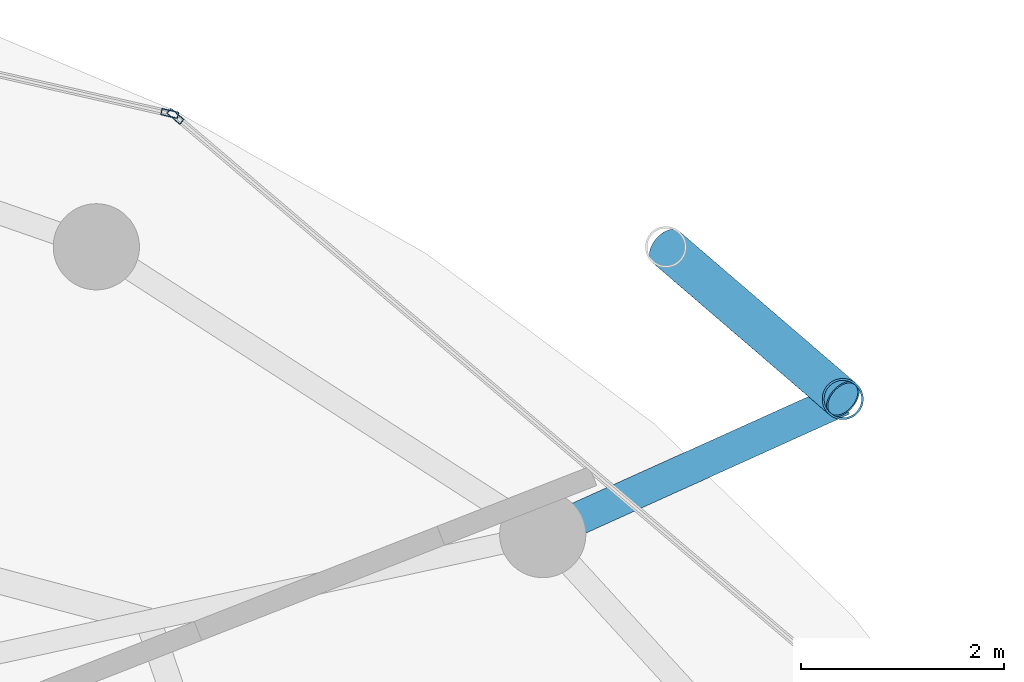
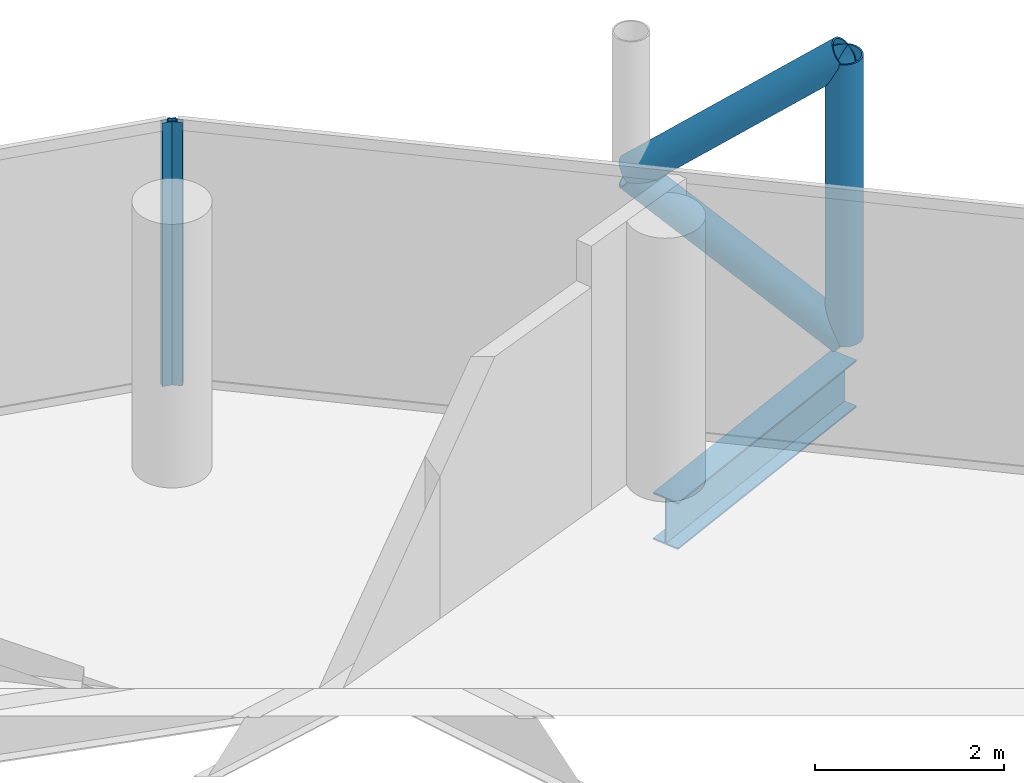
# One storey, part 21 of 27: 5 members, 1 beam, 2 elements without a shape of their own.
"""IFC4 building model written with IfcOpenShell, lengths in metres."""

import ifcopenshell
import ifcopenshell.guid

model = None  # the IFC model being written
_history = None  # IfcOwnerHistory: only IFC2X3 demands one
_inside = {}  # id of a spatial element -> (the spatial element, [elements in it])
_under = {}  # id of a project, library or spatial element -> (it, [spatial elements below it])
_declared = {}  # id of a project -> (the project, [libraries it declares])
_typed = {}  # id of a type object -> (the type object, [elements of that type])
_made_of = {}  # id of a material, layer set ... -> (it, [elements and type objects made of it])


def new_model(schema):
    """Start an empty IFC model of exactly this schema.

    Asked for "IFC4X3", IfcOpenShell would pick the latest addendum, in which some entities
    have other attributes; the version numbers below select the first issue.
    IFC2X3 requires an IfcOwnerHistory on every rooted entity: one is made here for all.
    """
    global model, _history
    if schema == "IFC4X3":
        model = ifcopenshell.file(schema_version=(4, 3, 0, 0))
    else:
        model = ifcopenshell.file(schema=schema)
    _inside.clear()
    _under.clear()
    _declared.clear()
    _typed.clear()
    _made_of.clear()
    _history = None
    if model.schema == "IFC2X3":
        org = make("IfcOrganization", Name="unknown")
        user = make(
            "IfcPersonAndOrganization",
            ThePerson=make("IfcPerson", FamilyName="unknown"),
            TheOrganization=org,
        )
        app = make(
            "IfcApplication",
            ApplicationDeveloper=org,
            Version="unknown",
            ApplicationFullName="unknown",
            ApplicationIdentifier="unknown",
        )
        _history = make(
            "IfcOwnerHistory",
            OwningUser=user,
            OwningApplication=app,
            ChangeAction="ADDED",
            CreationDate=0,
        )
    return model


def make(cls, **values):
    """One entity of the class cls with the attributes given. An attribute that is None is left unset."""
    return model.create_entity(
        cls, **{name: value for name, value in values.items() if value is not None}
    )


def rooted(cls, **values):
    """An entity with a GlobalId (a new one), such as an element, a storey or a relation."""
    return make(cls, GlobalId=ifcopenshell.guid.new(), OwnerHistory=_history, **values)


def si_unit(unit_type, name, prefix=None):
    """IfcSIUnit, for example si_unit("LENGTHUNIT", "METRE", prefix="MILLI")."""
    return make("IfcSIUnit", UnitType=unit_type, Prefix=prefix, Name=name)


def assignment(units):
    """IfcUnitAssignment: the units of a project."""
    return None if units is None else make("IfcUnitAssignment", Units=units)


def point(xyz):
    """IfcCartesianPoint."""
    return None if xyz is None else make("IfcCartesianPoint", Coordinates=xyz)


def direction(xyz):
    """IfcDirection."""
    return None if xyz is None else make("IfcDirection", DirectionRatios=xyz)


def frame(location, z_axis=None, x_axis=None):
    """IfcAxis2Placement3D, a coordinate frame: its origin and axes. An axis left out is left unset."""
    return make(
        "IfcAxis2Placement3D",
        Location=point(location),
        Axis=direction(z_axis),
        RefDirection=direction(x_axis),
    )


def frame_2d(location, x_axis=None):
    """IfcAxis2Placement2D, a coordinate frame in the plane: its origin and x axis."""
    return make(
        "IfcAxis2Placement2D", Location=point(location), RefDirection=direction(x_axis)
    )


def origin():
    """The frame at (0, 0, 0) with its axes left unset."""
    return frame((0.0, 0.0, 0.0))


def origin_2d():
    """The frame at (0, 0) in the plane with its x axis left unset."""
    return frame_2d((0.0, 0.0))


def place(relative_to, where):
    """IfcLocalPlacement: puts the frame where relative to a parent placement (None: the world)."""
    return make(
        "IfcLocalPlacement", PlacementRelTo=relative_to, RelativePlacement=where
    )


def context(
    kind, dimensions, precision=None, world=None, true_north=None, identifier=None
):
    """IfcGeometricRepresentationContext, for example the 3D "Model" context."""
    return make(
        "IfcGeometricRepresentationContext",
        ContextIdentifier=identifier,
        ContextType=kind,
        CoordinateSpaceDimension=dimensions,
        Precision=precision,
        WorldCoordinateSystem=world,
        TrueNorth=true_north,
    )


def subcontext(parent, identifier, kind, view, scale=None):
    """IfcGeometricRepresentationSubContext, for example "Body" below "Model"."""
    return make(
        "IfcGeometricRepresentationSubContext",
        ContextIdentifier=identifier,
        ContextType=kind,
        ParentContext=parent,
        TargetScale=scale,
        TargetView=view,
    )


def project(units=None, contexts=None):
    """IfcProject with its units and contexts."""
    return rooted(
        "IfcProject",
        Name="project",
        RepresentationContexts=contexts,
        UnitsInContext=assignment(units),
    )


def spatial(cls, under=None, at=None, **own):
    """A site, building, storey or space (cls), placed at a placement, below another one or the project."""
    s = rooted(cls, ObjectPlacement=at, **own)
    if under is not None:
        _under.setdefault(under.id(), (under, []))[1].append(s)
    return s


def profile(cls, at=None, kind="AREA", **sizes):
    """A parametric profile (cls). Its sizes go by their IFC names, for example OverallWidth=200.0."""
    return make(cls, ProfileType=kind, Position=at, **sizes)


def hollow_rectangle(**sizes):
    """IfcRectangleHollowProfileDef."""
    return profile("IfcRectangleHollowProfileDef", **sizes)


def hollow_circle(**sizes):
    """IfcCircleHollowProfileDef."""
    return profile("IfcCircleHollowProfileDef", **sizes)


def i_section(**sizes):
    """IfcIShapeProfileDef."""
    return profile("IfcIShapeProfileDef", **sizes)


def extrude(swept, where, along, depth):
    """IfcExtrudedAreaSolid: the profile swept, set in the frame where, extruded along a direction by depth."""
    return make(
        "IfcExtrudedAreaSolid",
        SweptArea=swept,
        Position=where,
        ExtrudedDirection=direction(along),
        Depth=depth,
    )


def shape(context_of_items, identifier, shape_type, items):
    """IfcShapeRepresentation: the items that make up one representation, for example the "Body"."""
    return make(
        "IfcShapeRepresentation",
        ContextOfItems=context_of_items,
        RepresentationIdentifier=identifier,
        RepresentationType=shape_type,
        Items=items,
    )


def material(Name=None, Category=None):
    """IfcMaterial."""
    return make("IfcMaterial", Name=Name, Category=Category)


def layer(
    of_material, thickness, ventilated=None, Name=None, Category=None, Priority=None
):
    """IfcMaterialLayer: one layer of a wall or slab, of a material (None: an air gap)."""
    return make(
        "IfcMaterialLayer",
        Material=of_material,
        LayerThickness=thickness,
        IsVentilated=ventilated,
        Name=Name,
        Category=Category,
        Priority=Priority,
    )


def layer_set(layers, Name=None):
    """IfcMaterialLayerSet."""
    return make("IfcMaterialLayerSet", MaterialLayers=layers, LayerSetName=Name)


def material_profile(
    of_material, cross_section, Name=None, Category=None, Priority=None
):
    """IfcMaterialProfile: a cross section and its material."""
    return make(
        "IfcMaterialProfile",
        Name=Name,
        Material=of_material,
        Profile=cross_section,
        Priority=Priority,
        Category=Category,
    )


def profile_set(profiles, Name=None, composite=None):
    """IfcMaterialProfileSet."""
    return make(
        "IfcMaterialProfileSet",
        Name=Name,
        MaterialProfiles=profiles,
        CompositeProfile=composite,
    )


def made_of(thing, what):
    """Note that an element or type object is made of a material, layer set ...; save() writes the relation."""
    if what is not None:
        _made_of.setdefault(what.id(), (what, []))[1].append(thing)
    return thing


def type_object(cls, material=None, **own):
    """A type object (cls), such as IfcWallType, which elements share."""
    return made_of(rooted(cls, **own), material)


def element(
    cls,
    number,
    at=None,
    inside=None,
    cuts=None,
    type_object=None,
    material=None,
    context=None,
    identifier="Body",
    shape_type=None,
    held_by="IfcProductDefinitionShape",
    body=None,
    shapes=None,
    **own,
):
    """One element of the class cls, such as IfcWall. Its Tag is "e" and its number.

    at: its placement. inside: the storey or other place that contains it. cuts: it is an
    opening in that element (IfcRelVoidsElement). A single representation is given by context,
    identifier, shape_type and body (its items); several are given by shapes. held_by: the class
    of the entity that holds the representations. save() writes the other relations.
    """
    e = rooted(cls, Tag="e%d" % number, ObjectPlacement=at, **own)
    if body is not None:
        shapes = [shape(context, identifier, shape_type, body)]
    if shapes is not None:
        e.Representation = make(held_by, Representations=shapes)
    if inside is not None:
        _inside.setdefault(inside.id(), (inside, []))[1].append(e)
    if cuts is not None:
        rooted(
            "IfcRelVoidsElement", RelatingBuildingElement=cuts, RelatedOpeningElement=e
        )
    if type_object is not None:
        _typed.setdefault(type_object.id(), (type_object, []))[1].append(e)
    return made_of(e, material)


def aggregate(whole, parts):
    """IfcRelAggregates: a whole, such as a stair, and the parts it consists of."""
    return rooted("IfcRelAggregates", RelatingObject=whole, RelatedObjects=parts)


def save(model, path):
    """Write the relations noted so far, then the file.

    IfcRelAggregates (storeys below a building ...), IfcRelContainedInSpatialStructure (elements
    in a storey), IfcRelDefinesByType, IfcRelAssociatesMaterial and IfcRelDeclares: one each for
    every whole, place, type object, material and project.
    """
    for whole, parts in _under.values():
        aggregate(whole, parts)
    for where, things in _inside.values():
        rooted(
            "IfcRelContainedInSpatialStructure",
            RelatedElements=things,
            RelatingStructure=where,
        )
    for kind, things in _typed.values():
        rooted("IfcRelDefinesByType", RelatedObjects=things, RelatingType=kind)
    for what, things in _made_of.values():
        rooted("IfcRelAssociatesMaterial", RelatedObjects=things, RelatingMaterial=what)
    for by, libraries in _declared.values():
        rooted("IfcRelDeclares", RelatingContext=by, RelatedDefinitions=libraries)
    model.write(path)


model = new_model("IFC4")

# Units and contexts
model_context = context("Model", 3, precision=1e-05, world=origin(), true_north=direction((0.0, 1.0)))
body_context = subcontext(model_context, "Body", "Model", "MODEL_VIEW")
ifc_project = project(units=[si_unit("LENGTHUNIT", "METRE"), si_unit("AREAUNIT", "SQUARE_METRE"), si_unit("VOLUMEUNIT", "CUBIC_METRE"), si_unit("PLANEANGLEUNIT", "RADIAN"), si_unit("MASSUNIT", "GRAM", prefix="KILO")], contexts=[model_context])

# Site, building, storey
site_placement = place(None, origin())
site = spatial("IfcSite", under=ifc_project, at=site_placement, CompositionType="ELEMENT")
building_placement = place(site_placement, origin())
building = spatial("IfcBuilding", under=site, at=building_placement, Name="Nuhasar Tower", CompositionType="ELEMENT")
storey_placement = place(building_placement, frame((0.0, 0.0, 241.0)))
storey = spatial("IfcBuildingStorey", under=building, at=storey_placement, Name="L59", CompositionType="ELEMENT", Elevation=241.0)

# Beam
ifc_material_1 = material(Name="Steel S355", Category="steel")
ifc_material_profile_1 = material_profile(ifc_material_1, i_section(OverallWidth=0.323974609375, OverallDepth=0.611083984375, WebThickness=0.0126953125, FlangeThickness=0.01904296875, at=origin_2d()), Name="W24X104")
ifc_profile_set_1 = profile_set([ifc_material_profile_1], Name="Steel S355")
beam_type = type_object("IfcBeamType", Name="BM-TIE-W24X104", PredefinedType="BEAM", material=ifc_profile_set_1)
beam_placement = place(storey_placement, frame((54.02587890625, 39.422119140625, -0.5458984375), z_axis=(0.911363318082, 0.411602845538, 0.0), x_axis=(-0.411602845538, 0.911363318082, 0.0)))
element("IfcBeam", 1, at=beam_placement, inside=storey, type_object=beam_type, Name="L59 Exoskeleton Node Tie Beam 02", PredefinedType="BEAM", context=body_context, shape_type="SweptSolid", body=[
    extrude(i_section(OverallWidth=0.323974609375, OverallDepth=0.611083984375, WebThickness=0.0126953125, FlangeThickness=0.01904296875, at=origin_2d()), origin(), (0.0, 0.0, 1.0), 3.24560546875),
])

# Curtain wall, member
ifc_material_2 = material(Name="Aluminium 6063-T6", Category="aluminium")
ifc_layer = layer(ifc_material_2, 0.18994140625)
ifc_layer_set = layer_set([ifc_layer], Name="Aluminium 6063-T6")
curtain_wall_type = type_object("IfcCurtainWallType", Name="CW-Z3-RES", PredefinedType="NOTDEFINED", material=ifc_layer_set)
curtain_wall_1_placement = place(storey_placement, origin())
curtain_wall_1 = element("IfcCurtainWall", 2, at=curtain_wall_1_placement, inside=storey, type_object=curtain_wall_type, Name="L59 Unitised Curtain Wall 02", PredefinedType="NOTDEFINED")
ifc_material_profile_2 = material_profile(ifc_material_2, hollow_rectangle(XDim=0.06494140625, YDim=0.169921875, WallThickness=0.0048828125, at=origin_2d()), Name="CWM-4")
ifc_profile_set_2 = profile_set([ifc_material_profile_2], Name="Aluminium 6063-T6")
member_type_1 = type_object("IfcMemberType", Name="CW-MUL-S4", PredefinedType="MULLION", material=ifc_profile_set_2)
member_1_placement = place(storey_placement, frame((50.40478515625, 43.544921875, 0.0), z_axis=(0.0, 0.0, 1.0), x_axis=(-0.64789521578, -0.761729472562, 0.0)))
member_1 = element("IfcMember", 3, at=member_1_placement, type_object=member_type_1, Name="CW-Z3 mullion 2", PredefinedType="MULLION", context=body_context, shape_type="SweptSolid", body=[
    extrude(hollow_rectangle(XDim=0.06494140625, YDim=0.169921875, WallThickness=0.0048828125, at=origin_2d()), origin(), (0.0, 0.0, 1.0), 3.409912109375),
])
aggregate(curtain_wall_1, [member_1])

curtain_wall_2_placement = place(storey_placement, origin())
curtain_wall_2 = element("IfcCurtainWall", 4, at=curtain_wall_2_placement, inside=storey, type_object=curtain_wall_type, Name="L59 Unitised Curtain Wall 03", PredefinedType="NOTDEFINED")
member_2_placement = place(storey_placement, frame((50.348388671875, 43.5732421875, 0.0), z_axis=(0.0, 0.0, 1.0), x_axis=(-0.222243176313, -0.974991266926, 0.0)))
member_2 = element("IfcMember", 5, at=member_2_placement, type_object=member_type_1, Name="CW-Z3 mullion 1", PredefinedType="MULLION", context=body_context, shape_type="SweptSolid", body=[
    extrude(hollow_rectangle(XDim=0.06494140625, YDim=0.169921875, WallThickness=0.0048828125, at=origin_2d()), origin(), (0.0, 0.0, 1.0), 3.409912109375),
])
aggregate(curtain_wall_2, [member_2])

# Members
ifc_material_3 = material(Name="Steel S460", Category="steel")
ifc_material_profile_3 = material_profile(ifc_material_3, hollow_circle(Radius=0.203125, WallThickness=0.01904296875, at=origin_2d()), Name="HSS406.4X19.1")
ifc_profile_set_3 = profile_set([ifc_material_profile_3], Name="Steel S460")
member_type_2 = type_object("IfcMemberType", Name="EXO-BRONZE-406", PredefinedType="BRACE", material=ifc_profile_set_3)
member_3_placement = place(storey_placement, frame((56.98388671875, 40.758056640625, 0.0), z_axis=(0.0, 0.0, 1.0), x_axis=(1.0, 0.0, 0.0)))
element("IfcMember", 6, at=member_3_placement, inside=storey, type_object=member_type_2, Name="L59 Exoskeleton Chord Column EC-02A", PredefinedType="BRACE", context=body_context, shape_type="SweptSolid", body=[
    extrude(hollow_circle(Radius=0.203125, WallThickness=0.01904296875, at=origin_2d()), origin(), (0.0, 0.0, 1.0), 3.64990234375),
])
for number, where, z_axis, x_axis, name in (
    (7, (56.98388671875, 40.758056640625, 0.0), (-0.594018535389, 0.510608120858, 0.621627964725), (-0.65185738425, -0.758341579104, 0.0), "L59 Bronze Diagrid Brace W1-02"),
    (8, (55.239990234375, 42.257080078125, 1.824951171875), (0.594018535389, -0.510608120858, 0.621627964725), (0.65185738425, 0.758341579104, 0.0), "L59 Bronze Diagrid Brace W2-02"),
):
    element("IfcMember", number, at=place(storey_placement, frame(where, z_axis=z_axis, x_axis=x_axis)), inside=storey, type_object=member_type_2, Name=name, PredefinedType="BRACE", context=body_context, shape_type="SweptSolid", body=[
        extrude(hollow_circle(Radius=0.203125, WallThickness=0.01904296875, at=origin_2d()), origin(), (0.0, 0.0, 1.0), 2.935791015625),
    ])

save(model, "model.ifc")
